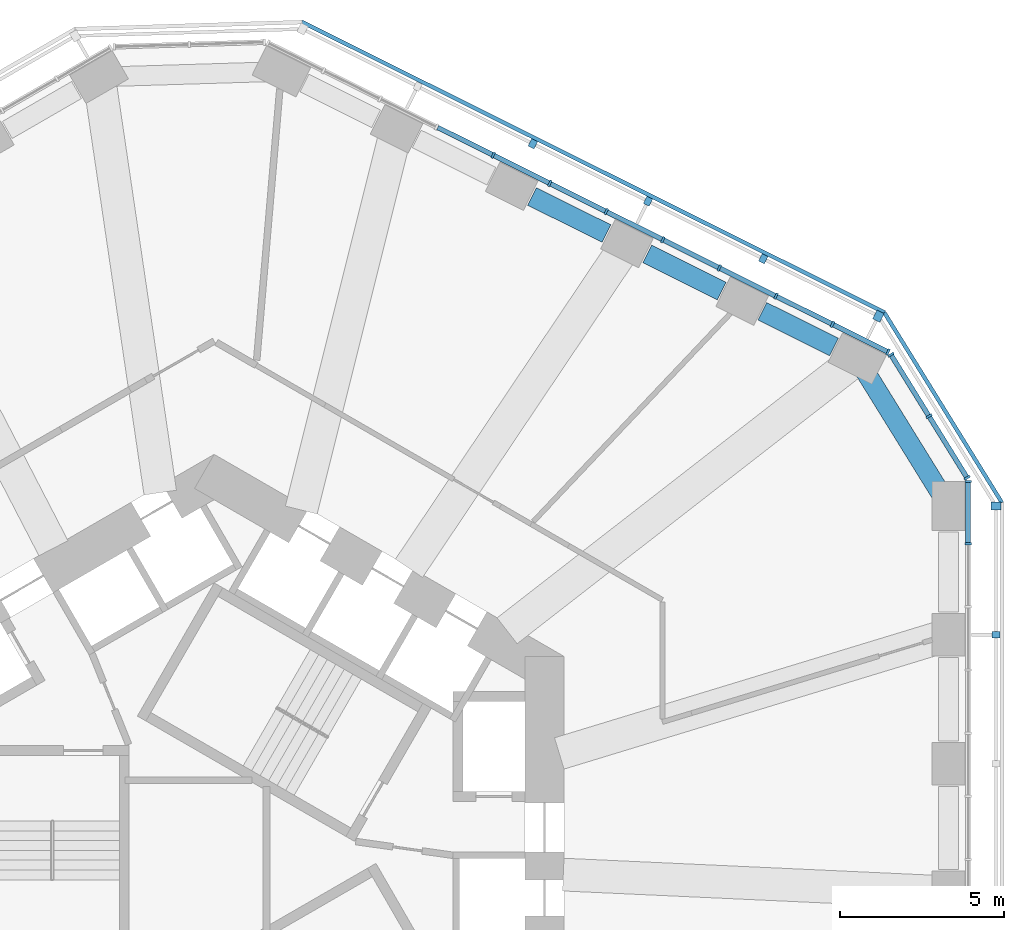
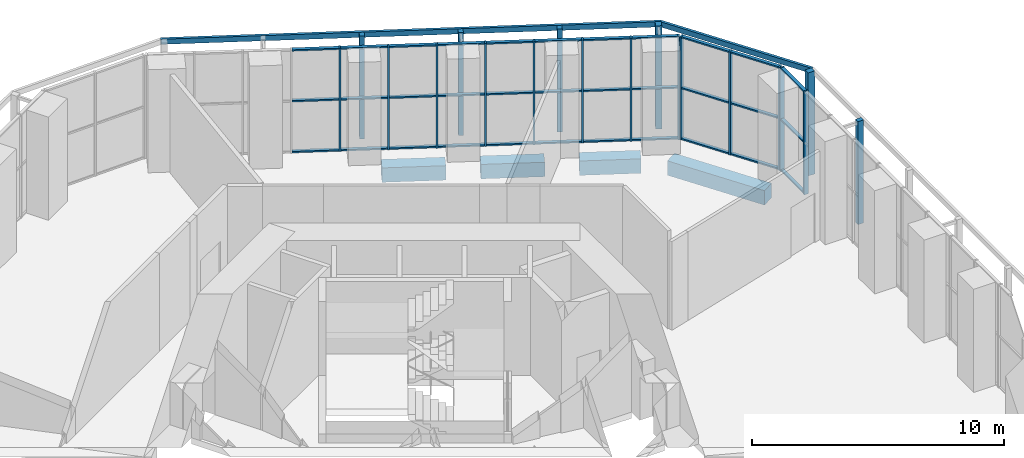
# One storey, part 9 of 19: 54 members, 4 beams, 6 elements without a shape of their own.
"""IFC4 building model written with IfcOpenShell, lengths in metres."""

from ifc_helpers import new_model, si_unit, direction, frame, origin, origin_2d, place, context, subcontext, project, spatial, rectangle, extrude, material, material_profile, profile_set, type_object, element, aggregate, save


model = new_model("IFC4")

# Units and contexts
model_context = context("Model", 3, precision=1e-05, world=origin(), true_north=direction((0.0, 1.0)))
body_context = subcontext(model_context, "Body", "Model", "MODEL_VIEW")
ifc_project = project(units=[si_unit("LENGTHUNIT", "METRE"), si_unit("AREAUNIT", "SQUARE_METRE"), si_unit("VOLUMEUNIT", "CUBIC_METRE"), si_unit("PLANEANGLEUNIT", "RADIAN"), si_unit("MASSUNIT", "GRAM", prefix="KILO")], contexts=[model_context])

# Site, building, storey
site_placement = place(None, origin())
site = spatial("IfcSite", under=ifc_project, at=site_placement, CompositionType="ELEMENT")
building_placement = place(site_placement, origin())
building = spatial("IfcBuilding", under=site, at=building_placement, Name="Vanh Sen Convention Tower", CompositionType="ELEMENT")
storey_placement = place(building_placement, frame((0.0, 0.0, 39.0)))
storey = spatial("IfcBuildingStorey", under=building, at=storey_placement, Name="L06", CompositionType="ELEMENT", Elevation=39.0)

# Curtain wall, members
ifc_material_1 = material(Name="Aluminium structural glazing system", Category="aluminium")
curtain_wall_type_1 = type_object("IfcCurtainWallType", Name="Hotel lobby structural glazing", PredefinedType="NOTDEFINED", material=ifc_material_1)
curtain_wall_1_placement = place(storey_placement, origin())
curtain_wall_1 = element("IfcCurtainWall", 1, at=curtain_wall_1_placement, inside=storey, type_object=curtain_wall_type_1, Name="Hotel lobby glazing E L06", PredefinedType="NOTDEFINED")
ifc_material_2 = material(Name="Aluminium mullion", Category="aluminium")
ifc_material_profile_1 = material_profile(ifc_material_2, rectangle(XDim=0.199951171875, YDim=0.070068359375, at=origin_2d()), Name="Lobby glazing mullion 70 x 200")
ifc_profile_set_1 = profile_set([ifc_material_profile_1], Name="Aluminium mullion")
member_type_1 = type_object("IfcMemberType", Name="Lobby glazing mullion 70 x 200", PredefinedType="MULLION", material=ifc_profile_set_1)
member_1_placement = place(storey_placement, frame((23.050048828125, 9.6279296875, 0.0), z_axis=(0.0, 0.0, 1.0), x_axis=(-1.0, 0.0, 0.0)))
member_1 = element("IfcMember", 2, at=member_1_placement, type_object=member_type_1, Name="CW2 mullion 11", PredefinedType="MULLION", context=body_context, shape_type="SweptSolid", body=[
    extrude(rectangle(XDim=0.199951171875, YDim=0.070068359375, at=origin_2d()), origin(), (0.0, 0.0, 1.0), 5.0),
])
member_2_placement = place(storey_placement, frame((23.050048828125, 11.5244140625, 0.0), z_axis=(0.0, 0.0, 1.0), x_axis=(-1.0, 0.0, 0.0)))
member_2 = element("IfcMember", 3, at=member_2_placement, type_object=member_type_1, Name="CW2 mullion 12", PredefinedType="MULLION", context=body_context, shape_type="SweptSolid", body=[
    extrude(rectangle(XDim=0.199951171875, YDim=0.070068359375, at=origin_2d()), origin(), (0.0, 0.0, 1.0), 5.0),
])

curtain_wall_2_placement = place(storey_placement, origin())
curtain_wall_2 = element("IfcCurtainWall", 4, at=curtain_wall_2_placement, inside=storey, type_object=curtain_wall_type_1, Name="Hotel lobby glazing CH1 L06", PredefinedType="NOTDEFINED")
member_3_placement = place(storey_placement, frame((23.0166015625, 11.641845703125, 0.0), z_axis=(0.0, 0.0, 1.0), x_axis=(-0.850357609177, -0.526205222812, 0.0)))
member_3 = element("IfcMember", 5, at=member_3_placement, type_object=member_type_1, Name="CW2 mullion 1", PredefinedType="MULLION", context=body_context, shape_type="SweptSolid", body=[
    extrude(rectangle(XDim=0.199951171875, YDim=0.070068359375, at=origin_2d()), origin(), (0.0, 0.0, 1.0), 5.0),
])
member_4_placement = place(storey_placement, frame((21.8525390625, 13.522705078125, 0.0), z_axis=(0.0, 0.0, 1.0), x_axis=(-0.850357609177, -0.526205222812, 0.0)))
member_4 = element("IfcMember", 6, at=member_4_placement, type_object=member_type_1, Name="CW2 mullion 2", PredefinedType="MULLION", context=body_context, shape_type="SweptSolid", body=[
    extrude(rectangle(XDim=0.199951171875, YDim=0.070068359375, at=origin_2d()), origin(), (0.0, 0.0, 1.0), 5.0),
])
member_5_placement = place(storey_placement, frame((20.688720703125, 15.40380859375, 0.0), z_axis=(0.0, 0.0, 1.0), x_axis=(-0.850357609177, -0.526205222812, 0.0)))
member_5 = element("IfcMember", 7, at=member_5_placement, type_object=member_type_1, Name="CW2 mullion 3", PredefinedType="MULLION", context=body_context, shape_type="SweptSolid", body=[
    extrude(rectangle(XDim=0.199951171875, YDim=0.070068359375, at=origin_2d()), origin(), (0.0, 0.0, 1.0), 5.0),
])

curtain_wall_3_placement = place(storey_placement, origin())
curtain_wall_3 = element("IfcCurtainWall", 8, at=curtain_wall_3_placement, inside=storey, type_object=curtain_wall_type_1, Name="Hotel lobby glazing NE L06", PredefinedType="NOTDEFINED")
member_6_placement = place(storey_placement, frame((20.5986328125, 15.486083984375, 0.0), z_axis=(0.0, 0.0, 1.0), x_axis=(-0.446198535483, -0.89493400144, 0.0)))
member_6 = element("IfcMember", 9, at=member_6_placement, type_object=member_type_1, Name="CW2 mullion 1", PredefinedType="MULLION", context=body_context, shape_type="SweptSolid", body=[
    extrude(rectangle(XDim=0.199951171875, YDim=0.070068359375, at=origin_2d()), origin(), (0.0, 0.0, 1.0), 5.0),
])
member_7_placement = place(storey_placement, frame((18.9013671875, 16.332275390625, 0.0), z_axis=(0.0, 0.0, 1.0), x_axis=(-0.446198535483, -0.89493400144, 0.0)))
member_7 = element("IfcMember", 10, at=member_7_placement, type_object=member_type_1, Name="CW2 mullion 2", PredefinedType="MULLION", context=body_context, shape_type="SweptSolid", body=[
    extrude(rectangle(XDim=0.199951171875, YDim=0.070068359375, at=origin_2d()), origin(), (0.0, 0.0, 1.0), 5.0),
])
member_8_placement = place(storey_placement, frame((17.1728515625, 17.194091796875, 0.0), z_axis=(0.0, 0.0, 1.0), x_axis=(-0.446198535483, -0.89493400144, 0.0)))
member_8 = element("IfcMember", 11, at=member_8_placement, type_object=member_type_1, Name="CW2 mullion 3", PredefinedType="MULLION", context=body_context, shape_type="SweptSolid", body=[
    extrude(rectangle(XDim=0.199951171875, YDim=0.070068359375, at=origin_2d()), origin(), (0.0, 0.0, 1.0), 5.0),
])
member_9_placement = place(storey_placement, frame((15.4443359375, 18.055908203125, 0.0), z_axis=(0.0, 0.0, 1.0), x_axis=(-0.446198535483, -0.89493400144, 0.0)))
member_9 = element("IfcMember", 12, at=member_9_placement, type_object=member_type_1, Name="CW2 mullion 4", PredefinedType="MULLION", context=body_context, shape_type="SweptSolid", body=[
    extrude(rectangle(XDim=0.199951171875, YDim=0.070068359375, at=origin_2d()), origin(), (0.0, 0.0, 1.0), 5.0),
])
member_10_placement = place(storey_placement, frame((13.7158203125, 18.917724609375, 0.0), z_axis=(0.0, 0.0, 1.0), x_axis=(-0.446198535483, -0.89493400144, 0.0)))
member_10 = element("IfcMember", 13, at=member_10_placement, type_object=member_type_1, Name="CW2 mullion 5", PredefinedType="MULLION", context=body_context, shape_type="SweptSolid", body=[
    extrude(rectangle(XDim=0.199951171875, YDim=0.070068359375, at=origin_2d()), origin(), (0.0, 0.0, 1.0), 5.0),
])
member_11_placement = place(storey_placement, frame((11.9873046875, 19.779541015625, 0.0), z_axis=(0.0, 0.0, 1.0), x_axis=(-0.446198535483, -0.89493400144, 0.0)))
member_11 = element("IfcMember", 14, at=member_11_placement, type_object=member_type_1, Name="CW2 mullion 6", PredefinedType="MULLION", context=body_context, shape_type="SweptSolid", body=[
    extrude(rectangle(XDim=0.199951171875, YDim=0.070068359375, at=origin_2d()), origin(), (0.0, 0.0, 1.0), 5.0),
])
member_12_placement = place(storey_placement, frame((10.2587890625, 20.641357421875, 0.0), z_axis=(0.0, 0.0, 1.0), x_axis=(-0.446198535483, -0.89493400144, 0.0)))
member_12 = element("IfcMember", 15, at=member_12_placement, type_object=member_type_1, Name="CW2 mullion 7", PredefinedType="MULLION", context=body_context, shape_type="SweptSolid", body=[
    extrude(rectangle(XDim=0.199951171875, YDim=0.070068359375, at=origin_2d()), origin(), (0.0, 0.0, 1.0), 5.0),
])
member_13_placement = place(storey_placement, frame((8.530029296875, 21.503173828125, 0.0), z_axis=(0.0, 0.0, 1.0), x_axis=(-0.446198535483, -0.89493400144, 0.0)))
member_13 = element("IfcMember", 16, at=member_13_placement, type_object=member_type_1, Name="CW2 mullion 8", PredefinedType="MULLION", context=body_context, shape_type="SweptSolid", body=[
    extrude(rectangle(XDim=0.199951171875, YDim=0.070068359375, at=origin_2d()), origin(), (0.0, 0.0, 1.0), 5.0),
])

# Member
ifc_material_3 = material(Name="Aluminium transom", Category="aluminium")
ifc_material_profile_2 = material_profile(ifc_material_3, rectangle(XDim=0.14990234375, YDim=0.070068359375, at=origin_2d()), Name="Lobby glazing transom 150 x 70")
ifc_profile_set_2 = profile_set([ifc_material_profile_2], Name="Aluminium transom")
member_type_2 = type_object("IfcMemberType", Name="Lobby glazing transom 150 x 70", PredefinedType="USERDEFINED", material=ifc_profile_set_2)
member_14_placement = place(storey_placement, frame((23.050048828125, 9.6630859375, 0.034912109375), z_axis=(0.0, 1.0, 0.0), x_axis=(-1.0, 0.0, 0.0)))
member_14 = element("IfcMember", 17, at=member_14_placement, type_object=member_type_2, Name="CW2 transom 11.1", ObjectType="TRANSOM", PredefinedType="USERDEFINED", context=body_context, shape_type="SweptSolid", body=[
    extrude(rectangle(XDim=0.14990234375, YDim=0.070068359375, at=origin_2d()), origin(), (0.0, 0.0, 1.0), 1.826416015625),
])

member_15_placement = place(storey_placement, frame((23.050048828125, 9.6630859375, 2.5), z_axis=(0.0, 1.0, 0.0), x_axis=(-1.0, 0.0, 0.0)))
member_15 = element("IfcMember", 18, at=member_15_placement, type_object=member_type_2, Name="CW2 transom 11.2", ObjectType="TRANSOM", PredefinedType="USERDEFINED", context=body_context, shape_type="SweptSolid", body=[
    extrude(rectangle(XDim=0.14990234375, YDim=0.070068359375, at=origin_2d()), origin(), (0.0, 0.0, 1.0), 1.826416015625),
])

member_16_placement = place(storey_placement, frame((23.050048828125, 9.6630859375, 4.965087890625), z_axis=(0.0, 1.0, 0.0), x_axis=(-1.0, 0.0, 0.0)))
member_16 = element("IfcMember", 19, at=member_16_placement, type_object=member_type_2, Name="CW2 transom 11.3", ObjectType="TRANSOM", PredefinedType="USERDEFINED", context=body_context, shape_type="SweptSolid", body=[
    extrude(rectangle(XDim=0.14990234375, YDim=0.070068359375, at=origin_2d()), origin(), (0.0, 0.0, 1.0), 1.826416015625),
])

aggregate(curtain_wall_1, [member_1, member_2, member_14, member_15, member_16])

member_17_placement = place(storey_placement, frame((22.998046875, 11.671630859375, 0.034912109375), z_axis=(-0.526181935599, 0.850372018971, 0.0), x_axis=(-0.850372018971, -0.526181935599, 0.0)))
member_17 = element("IfcMember", 20, at=member_17_placement, type_object=member_type_2, Name="CW2 transom 1.1", ObjectType="TRANSOM", PredefinedType="USERDEFINED", context=body_context, shape_type="SweptSolid", body=[
    extrude(rectangle(XDim=0.14990234375, YDim=0.070068359375, at=origin_2d()), origin(), (0.0, 0.0, 1.0), 2.141845703125),
])

member_18_placement = place(storey_placement, frame((22.998046875, 11.671630859375, 2.5), z_axis=(-0.526181935599, 0.850372018971, 0.0), x_axis=(-0.850372018971, -0.526181935599, 0.0)))
member_18 = element("IfcMember", 21, at=member_18_placement, type_object=member_type_2, Name="CW2 transom 1.2", ObjectType="TRANSOM", PredefinedType="USERDEFINED", context=body_context, shape_type="SweptSolid", body=[
    extrude(rectangle(XDim=0.14990234375, YDim=0.070068359375, at=origin_2d()), origin(), (0.0, 0.0, 1.0), 2.141845703125),
])

member_19_placement = place(storey_placement, frame((22.998046875, 11.671630859375, 4.965087890625), z_axis=(-0.526181935599, 0.850372018971, 0.0), x_axis=(-0.850372018971, -0.526181935599, 0.0)))
member_19 = element("IfcMember", 22, at=member_19_placement, type_object=member_type_2, Name="CW2 transom 1.3", ObjectType="TRANSOM", PredefinedType="USERDEFINED", context=body_context, shape_type="SweptSolid", body=[
    extrude(rectangle(XDim=0.14990234375, YDim=0.070068359375, at=origin_2d()), origin(), (0.0, 0.0, 1.0), 2.141845703125),
])

member_20_placement = place(storey_placement, frame((21.834228515625, 13.552490234375, 0.034912109375), z_axis=(-0.526213355566, 0.850352576538, 0.0), x_axis=(-0.850352576538, -0.526213355566, 0.0)))
member_20 = element("IfcMember", 23, at=member_20_placement, type_object=member_type_2, Name="CW2 transom 2.1", ObjectType="TRANSOM", PredefinedType="USERDEFINED", context=body_context, shape_type="SweptSolid", body=[
    extrude(rectangle(XDim=0.14990234375, YDim=0.070068359375, at=origin_2d()), origin(), (0.0, 0.0, 1.0), 2.14208984375),
])

member_21_placement = place(storey_placement, frame((21.834228515625, 13.552490234375, 2.5), z_axis=(-0.526213355566, 0.850352576538, 0.0), x_axis=(-0.850352576538, -0.526213355566, 0.0)))
member_21 = element("IfcMember", 24, at=member_21_placement, type_object=member_type_2, Name="CW2 transom 2.2", ObjectType="TRANSOM", PredefinedType="USERDEFINED", context=body_context, shape_type="SweptSolid", body=[
    extrude(rectangle(XDim=0.14990234375, YDim=0.070068359375, at=origin_2d()), origin(), (0.0, 0.0, 1.0), 2.14208984375),
])

member_22_placement = place(storey_placement, frame((21.834228515625, 13.552490234375, 4.965087890625), z_axis=(-0.526213355566, 0.850352576538, 0.0), x_axis=(-0.850352576538, -0.526213355566, 0.0)))
member_22 = element("IfcMember", 25, at=member_22_placement, type_object=member_type_2, Name="CW2 transom 2.3", ObjectType="TRANSOM", PredefinedType="USERDEFINED", context=body_context, shape_type="SweptSolid", body=[
    extrude(rectangle(XDim=0.14990234375, YDim=0.070068359375, at=origin_2d()), origin(), (0.0, 0.0, 1.0), 2.14208984375),
])

aggregate(curtain_wall_2, [member_3, member_4, member_5, member_17, member_18, member_19, member_20, member_21, member_22])

member_23_placement = place(storey_placement, frame((20.567138671875, 15.501708984375, 0.034912109375), z_axis=(-0.894934567955, 0.446197399229, 0.0), x_axis=(-0.446197399229, -0.894934567955, 0.0)))
member_23 = element("IfcMember", 26, at=member_23_placement, type_object=member_type_2, Name="CW2 transom 1.1", ObjectType="TRANSOM", PredefinedType="USERDEFINED", context=body_context, shape_type="SweptSolid", body=[
    extrude(rectangle(XDim=0.14990234375, YDim=0.070068359375, at=origin_2d()), origin(), (0.0, 0.0, 1.0), 1.826416015625),
])

member_24_placement = place(storey_placement, frame((20.567138671875, 15.501708984375, 2.5), z_axis=(-0.894934567955, 0.446197399229, 0.0), x_axis=(-0.446197399229, -0.894934567955, 0.0)))
member_24 = element("IfcMember", 27, at=member_24_placement, type_object=member_type_2, Name="CW2 transom 1.2", ObjectType="TRANSOM", PredefinedType="USERDEFINED", context=body_context, shape_type="SweptSolid", body=[
    extrude(rectangle(XDim=0.14990234375, YDim=0.070068359375, at=origin_2d()), origin(), (0.0, 0.0, 1.0), 1.826416015625),
])

member_25_placement = place(storey_placement, frame((20.567138671875, 15.501708984375, 4.965087890625), z_axis=(-0.894934567955, 0.446197399229, 0.0), x_axis=(-0.446197399229, -0.894934567955, 0.0)))
member_25 = element("IfcMember", 28, at=member_25_placement, type_object=member_type_2, Name="CW2 transom 1.3", ObjectType="TRANSOM", PredefinedType="USERDEFINED", context=body_context, shape_type="SweptSolid", body=[
    extrude(rectangle(XDim=0.14990234375, YDim=0.070068359375, at=origin_2d()), origin(), (0.0, 0.0, 1.0), 1.826416015625),
])

member_26_placement = place(storey_placement, frame((18.8701171875, 16.347900390625, 0.034912109375), z_axis=(-0.894951166012, 0.446164107089, 0.0), x_axis=(-0.446164107089, -0.894951166012, 0.0)))
member_26 = element("IfcMember", 29, at=member_26_placement, type_object=member_type_2, Name="CW2 transom 2.1", ObjectType="TRANSOM", PredefinedType="USERDEFINED", context=body_context, shape_type="SweptSolid", body=[
    extrude(rectangle(XDim=0.14990234375, YDim=0.070068359375, at=origin_2d()), origin(), (0.0, 0.0, 1.0), 1.861572265625),
])

member_27_placement = place(storey_placement, frame((18.8701171875, 16.347900390625, 2.5), z_axis=(-0.894951166012, 0.446164107089, 0.0), x_axis=(-0.446164107089, -0.894951166012, 0.0)))
member_27 = element("IfcMember", 30, at=member_27_placement, type_object=member_type_2, Name="CW2 transom 2.2", ObjectType="TRANSOM", PredefinedType="USERDEFINED", context=body_context, shape_type="SweptSolid", body=[
    extrude(rectangle(XDim=0.14990234375, YDim=0.070068359375, at=origin_2d()), origin(), (0.0, 0.0, 1.0), 1.861572265625),
])

member_28_placement = place(storey_placement, frame((18.8701171875, 16.347900390625, 4.965087890625), z_axis=(-0.894951166012, 0.446164107089, 0.0), x_axis=(-0.446164107089, -0.894951166012, 0.0)))
member_28 = element("IfcMember", 31, at=member_28_placement, type_object=member_type_2, Name="CW2 transom 2.3", ObjectType="TRANSOM", PredefinedType="USERDEFINED", context=body_context, shape_type="SweptSolid", body=[
    extrude(rectangle(XDim=0.14990234375, YDim=0.070068359375, at=origin_2d()), origin(), (0.0, 0.0, 1.0), 1.861572265625),
])

member_29_placement = place(storey_placement, frame((17.1416015625, 17.209716796875, 0.034912109375), z_axis=(-0.894951166012, 0.446164107089, 0.0), x_axis=(-0.446164107089, -0.894951166012, 0.0)))
member_29 = element("IfcMember", 32, at=member_29_placement, type_object=member_type_2, Name="CW2 transom 3.1", ObjectType="TRANSOM", PredefinedType="USERDEFINED", context=body_context, shape_type="SweptSolid", body=[
    extrude(rectangle(XDim=0.14990234375, YDim=0.070068359375, at=origin_2d()), origin(), (0.0, 0.0, 1.0), 1.861572265625),
])

member_30_placement = place(storey_placement, frame((17.1416015625, 17.209716796875, 2.5), z_axis=(-0.894951166012, 0.446164107089, 0.0), x_axis=(-0.446164107089, -0.894951166012, 0.0)))
member_30 = element("IfcMember", 33, at=member_30_placement, type_object=member_type_2, Name="CW2 transom 3.2", ObjectType="TRANSOM", PredefinedType="USERDEFINED", context=body_context, shape_type="SweptSolid", body=[
    extrude(rectangle(XDim=0.14990234375, YDim=0.070068359375, at=origin_2d()), origin(), (0.0, 0.0, 1.0), 1.861572265625),
])

member_31_placement = place(storey_placement, frame((17.1416015625, 17.209716796875, 4.965087890625), z_axis=(-0.894951166012, 0.446164107089, 0.0), x_axis=(-0.446164107089, -0.894951166012, 0.0)))
member_31 = element("IfcMember", 34, at=member_31_placement, type_object=member_type_2, Name="CW2 transom 3.3", ObjectType="TRANSOM", PredefinedType="USERDEFINED", context=body_context, shape_type="SweptSolid", body=[
    extrude(rectangle(XDim=0.14990234375, YDim=0.070068359375, at=origin_2d()), origin(), (0.0, 0.0, 1.0), 1.861572265625),
])

member_32_placement = place(storey_placement, frame((15.4130859375, 18.071533203125, 0.034912109375), z_axis=(-0.894951166012, 0.446164107089, 0.0), x_axis=(-0.446164107089, -0.894951166012, 0.0)))
member_32 = element("IfcMember", 35, at=member_32_placement, type_object=member_type_2, Name="CW2 transom 4.1", ObjectType="TRANSOM", PredefinedType="USERDEFINED", context=body_context, shape_type="SweptSolid", body=[
    extrude(rectangle(XDim=0.14990234375, YDim=0.070068359375, at=origin_2d()), origin(), (0.0, 0.0, 1.0), 1.861572265625),
])

member_33_placement = place(storey_placement, frame((15.4130859375, 18.071533203125, 2.5), z_axis=(-0.894951166012, 0.446164107089, 0.0), x_axis=(-0.446164107089, -0.894951166012, 0.0)))
member_33 = element("IfcMember", 36, at=member_33_placement, type_object=member_type_2, Name="CW2 transom 4.2", ObjectType="TRANSOM", PredefinedType="USERDEFINED", context=body_context, shape_type="SweptSolid", body=[
    extrude(rectangle(XDim=0.14990234375, YDim=0.070068359375, at=origin_2d()), origin(), (0.0, 0.0, 1.0), 1.861572265625),
])

member_34_placement = place(storey_placement, frame((15.4130859375, 18.071533203125, 4.965087890625), z_axis=(-0.894951166012, 0.446164107089, 0.0), x_axis=(-0.446164107089, -0.894951166012, 0.0)))
member_34 = element("IfcMember", 37, at=member_34_placement, type_object=member_type_2, Name="CW2 transom 4.3", ObjectType="TRANSOM", PredefinedType="USERDEFINED", context=body_context, shape_type="SweptSolid", body=[
    extrude(rectangle(XDim=0.14990234375, YDim=0.070068359375, at=origin_2d()), origin(), (0.0, 0.0, 1.0), 1.861572265625),
])

member_35_placement = place(storey_placement, frame((13.684326171875, 18.933349609375, 0.034912109375), z_axis=(-0.894925054859, 0.446216479061, 0.0), x_axis=(-0.446216479061, -0.894925054859, 0.0)))
member_35 = element("IfcMember", 38, at=member_35_placement, type_object=member_type_2, Name="CW2 transom 5.1", ObjectType="TRANSOM", PredefinedType="USERDEFINED", context=body_context, shape_type="SweptSolid", body=[
    extrude(rectangle(XDim=0.14990234375, YDim=0.070068359375, at=origin_2d()), origin(), (0.0, 0.0, 1.0), 1.861328125),
])

member_36_placement = place(storey_placement, frame((13.684326171875, 18.933349609375, 2.5), z_axis=(-0.894925054859, 0.446216479061, 0.0), x_axis=(-0.446216479061, -0.894925054859, 0.0)))
member_36 = element("IfcMember", 39, at=member_36_placement, type_object=member_type_2, Name="CW2 transom 5.2", ObjectType="TRANSOM", PredefinedType="USERDEFINED", context=body_context, shape_type="SweptSolid", body=[
    extrude(rectangle(XDim=0.14990234375, YDim=0.070068359375, at=origin_2d()), origin(), (0.0, 0.0, 1.0), 1.861328125),
])

member_37_placement = place(storey_placement, frame((13.684326171875, 18.933349609375, 4.965087890625), z_axis=(-0.894925054859, 0.446216479061, 0.0), x_axis=(-0.446216479061, -0.894925054859, 0.0)))
member_37 = element("IfcMember", 40, at=member_37_placement, type_object=member_type_2, Name="CW2 transom 5.3", ObjectType="TRANSOM", PredefinedType="USERDEFINED", context=body_context, shape_type="SweptSolid", body=[
    extrude(rectangle(XDim=0.14990234375, YDim=0.070068359375, at=origin_2d()), origin(), (0.0, 0.0, 1.0), 1.861328125),
])

member_38_placement = place(storey_placement, frame((11.955810546875, 19.795166015625, 0.034912109375), z_axis=(-0.894925054859, 0.446216479061, 0.0), x_axis=(-0.446216479061, -0.894925054859, 0.0)))
member_38 = element("IfcMember", 41, at=member_38_placement, type_object=member_type_2, Name="CW2 transom 6.1", ObjectType="TRANSOM", PredefinedType="USERDEFINED", context=body_context, shape_type="SweptSolid", body=[
    extrude(rectangle(XDim=0.14990234375, YDim=0.070068359375, at=origin_2d()), origin(), (0.0, 0.0, 1.0), 1.861328125),
])

member_39_placement = place(storey_placement, frame((11.955810546875, 19.795166015625, 2.5), z_axis=(-0.894925054859, 0.446216479061, 0.0), x_axis=(-0.446216479061, -0.894925054859, 0.0)))
member_39 = element("IfcMember", 42, at=member_39_placement, type_object=member_type_2, Name="CW2 transom 6.2", ObjectType="TRANSOM", PredefinedType="USERDEFINED", context=body_context, shape_type="SweptSolid", body=[
    extrude(rectangle(XDim=0.14990234375, YDim=0.070068359375, at=origin_2d()), origin(), (0.0, 0.0, 1.0), 1.861328125),
])

member_40_placement = place(storey_placement, frame((11.955810546875, 19.795166015625, 4.965087890625), z_axis=(-0.894925054859, 0.446216479061, 0.0), x_axis=(-0.446216479061, -0.894925054859, 0.0)))
member_40 = element("IfcMember", 43, at=member_40_placement, type_object=member_type_2, Name="CW2 transom 6.3", ObjectType="TRANSOM", PredefinedType="USERDEFINED", context=body_context, shape_type="SweptSolid", body=[
    extrude(rectangle(XDim=0.14990234375, YDim=0.070068359375, at=origin_2d()), origin(), (0.0, 0.0, 1.0), 1.861328125),
])

member_41_placement = place(storey_placement, frame((10.227294921875, 20.656982421875, 0.034912109375), z_axis=(-0.894925054859, 0.446216479061, 0.0), x_axis=(-0.446216479061, -0.894925054859, 0.0)))
member_41 = element("IfcMember", 44, at=member_41_placement, type_object=member_type_2, Name="CW2 transom 7.1", ObjectType="TRANSOM", PredefinedType="USERDEFINED", context=body_context, shape_type="SweptSolid", body=[
    extrude(rectangle(XDim=0.14990234375, YDim=0.070068359375, at=origin_2d()), origin(), (0.0, 0.0, 1.0), 1.861328125),
])

member_42_placement = place(storey_placement, frame((10.227294921875, 20.656982421875, 2.5), z_axis=(-0.894925054859, 0.446216479061, 0.0), x_axis=(-0.446216479061, -0.894925054859, 0.0)))
member_42 = element("IfcMember", 45, at=member_42_placement, type_object=member_type_2, Name="CW2 transom 7.2", ObjectType="TRANSOM", PredefinedType="USERDEFINED", context=body_context, shape_type="SweptSolid", body=[
    extrude(rectangle(XDim=0.14990234375, YDim=0.070068359375, at=origin_2d()), origin(), (0.0, 0.0, 1.0), 1.861328125),
])

member_43_placement = place(storey_placement, frame((10.227294921875, 20.656982421875, 4.965087890625), z_axis=(-0.894925054859, 0.446216479061, 0.0), x_axis=(-0.446216479061, -0.894925054859, 0.0)))
member_43 = element("IfcMember", 46, at=member_43_placement, type_object=member_type_2, Name="CW2 transom 7.3", ObjectType="TRANSOM", PredefinedType="USERDEFINED", context=body_context, shape_type="SweptSolid", body=[
    extrude(rectangle(XDim=0.14990234375, YDim=0.070068359375, at=origin_2d()), origin(), (0.0, 0.0, 1.0), 1.861328125),
])

member_44_placement = place(storey_placement, frame((8.498779296875, 21.518798828125, 0.034912109375), z_axis=(-0.894925054859, 0.446216479061, 0.0), x_axis=(-0.446216479061, -0.894925054859, 0.0)))
member_44 = element("IfcMember", 47, at=member_44_placement, type_object=member_type_2, Name="CW2 transom 8.1", ObjectType="TRANSOM", PredefinedType="USERDEFINED", context=body_context, shape_type="SweptSolid", body=[
    extrude(rectangle(XDim=0.14990234375, YDim=0.070068359375, at=origin_2d()), origin(), (0.0, 0.0, 1.0), 1.861328125),
])

member_45_placement = place(storey_placement, frame((8.498779296875, 21.518798828125, 2.5), z_axis=(-0.894925054859, 0.446216479061, 0.0), x_axis=(-0.446216479061, -0.894925054859, 0.0)))
member_45 = element("IfcMember", 48, at=member_45_placement, type_object=member_type_2, Name="CW2 transom 8.2", ObjectType="TRANSOM", PredefinedType="USERDEFINED", context=body_context, shape_type="SweptSolid", body=[
    extrude(rectangle(XDim=0.14990234375, YDim=0.070068359375, at=origin_2d()), origin(), (0.0, 0.0, 1.0), 1.861328125),
])

member_46_placement = place(storey_placement, frame((8.498779296875, 21.518798828125, 4.965087890625), z_axis=(-0.894925054859, 0.446216479061, 0.0), x_axis=(-0.446216479061, -0.894925054859, 0.0)))
member_46 = element("IfcMember", 49, at=member_46_placement, type_object=member_type_2, Name="CW2 transom 8.3", ObjectType="TRANSOM", PredefinedType="USERDEFINED", context=body_context, shape_type="SweptSolid", body=[
    extrude(rectangle(XDim=0.14990234375, YDim=0.070068359375, at=origin_2d()), origin(), (0.0, 0.0, 1.0), 1.861328125),
])

aggregate(curtain_wall_3, [member_6, member_7, member_8, member_9, member_10, member_11, member_12, member_13, member_23, member_24, member_25, member_26, member_27, member_28, member_29, member_30, member_31, member_32, member_33, member_34, member_35, member_36, member_37, member_38, member_39, member_40, member_41, member_42, member_43, member_44, member_45, member_46])

# Curtain wall, member
ifc_material_4 = material(Name="Concrete C50/60", Category="concrete")
curtain_wall_type_2 = type_object("IfcCurtainWallType", Name="Outer skin hotel zone", PredefinedType="NOTDEFINED", material=ifc_material_4)
curtain_wall_4_placement = place(storey_placement, origin())
curtain_wall_4 = element("IfcCurtainWall", 50, at=curtain_wall_4_placement, inside=storey, type_object=curtain_wall_type_2, Name="OUTER SKIN E L06", PredefinedType="NOTDEFINED")
ifc_material_profile_3 = material_profile(ifc_material_4, rectangle(XDim=0.25, YDim=0.300048828125, at=origin_2d()), Name="Outer skin precast corner fin 250 x 300")
ifc_profile_set_3 = profile_set([ifc_material_profile_3], Name="Concrete C50/60")
member_type_3 = type_object("IfcMemberType", Name="Outer skin precast corner fin 250 x 300", PredefinedType="MULLION", material=ifc_profile_set_3)
member_47_placement = place(storey_placement, frame((23.89990234375, 10.773681640625, 0.0), z_axis=(0.0, 0.0, 1.0), x_axis=(0.0, 1.0, 0.0)))
member_47 = element("IfcMember", 51, at=member_47_placement, type_object=member_type_3, Name="OUTER SKIN CORNER FIN 6 E L06", PredefinedType="MULLION", context=body_context, shape_type="SweptSolid", body=[
    extrude(rectangle(XDim=0.25, YDim=0.300048828125, at=origin_2d()), origin(), (0.0, 0.0, 1.0), 5.0),
])

curtain_wall_5_placement = place(storey_placement, origin())
curtain_wall_5 = element("IfcCurtainWall", 52, at=curtain_wall_5_placement, inside=storey, type_object=curtain_wall_type_2, Name="OUTER SKIN NE L06", PredefinedType="NOTDEFINED")
member_48_placement = place(storey_placement, frame((20.305908203125, 16.581787109375, 0.0), z_axis=(0.0, 0.0, 1.0), x_axis=(-0.894934361602, 0.44619781311, 0.0)))
member_48 = element("IfcMember", 53, at=member_48_placement, type_object=member_type_3, Name="OUTER SKIN CORNER FIN 1 NE L06", PredefinedType="MULLION", context=body_context, shape_type="SweptSolid", body=[
    extrude(rectangle(XDim=0.25, YDim=0.300048828125, at=origin_2d()), origin(), (0.0, 0.0, 1.0), 5.0),
])

# Member
ifc_material_profile_4 = material_profile(ifc_material_4, rectangle(XDim=0.199951171875, YDim=0.25, at=origin_2d()), Name="Outer skin precast fin 200 x 250")
ifc_profile_set_4 = profile_set([ifc_material_profile_4], Name="Concrete C50/60")
member_type_4 = type_object("IfcMemberType", Name="Outer skin precast fin 200 x 250", PredefinedType="MULLION", material=ifc_profile_set_4)
member_49_placement = place(storey_placement, frame((23.89990234375, 6.839111328125, 0.0), z_axis=(0.0, 0.0, 1.0), x_axis=(0.0, 1.0, 0.0)))
member_49 = element("IfcMember", 54, at=member_49_placement, type_object=member_type_4, Name="OUTER SKIN fin 5 E L06", PredefinedType="MULLION", context=body_context, shape_type="SweptSolid", body=[
    extrude(rectangle(XDim=0.199951171875, YDim=0.25, at=origin_2d()), origin(), (0.0, 0.0, 1.0), 5.0),
])

aggregate(curtain_wall_4, [member_49, member_47])

member_50_placement = place(storey_placement, frame((16.78466796875, 18.33740234375, 0.0), z_axis=(0.0, 0.0, 1.0), x_axis=(-0.894934361602, 0.44619781311, 0.0)))
member_50 = element("IfcMember", 55, at=member_50_placement, type_object=member_type_4, Name="OUTER SKIN fin 2 NE L06", PredefinedType="MULLION", context=body_context, shape_type="SweptSolid", body=[
    extrude(rectangle(XDim=0.199951171875, YDim=0.25, at=origin_2d()), origin(), (0.0, 0.0, 1.0), 5.0),
])

member_51_placement = place(storey_placement, frame((13.263427734375, 20.093017578125, 0.0), z_axis=(0.0, 0.0, 1.0), x_axis=(-0.894934361602, 0.44619781311, 0.0)))
member_51 = element("IfcMember", 56, at=member_51_placement, type_object=member_type_4, Name="OUTER SKIN fin 3 NE L06", PredefinedType="MULLION", context=body_context, shape_type="SweptSolid", body=[
    extrude(rectangle(XDim=0.199951171875, YDim=0.25, at=origin_2d()), origin(), (0.0, 0.0, 1.0), 5.0),
])

member_52_placement = place(storey_placement, frame((9.7421875, 21.8486328125, 0.0), z_axis=(0.0, 0.0, 1.0), x_axis=(-0.894934361602, 0.44619781311, 0.0)))
member_52 = element("IfcMember", 57, at=member_52_placement, type_object=member_type_4, Name="OUTER SKIN fin 4 NE L06", PredefinedType="MULLION", context=body_context, shape_type="SweptSolid", body=[
    extrude(rectangle(XDim=0.199951171875, YDim=0.25, at=origin_2d()), origin(), (0.0, 0.0, 1.0), 5.0),
])

# Curtain wall, member
curtain_wall_6_placement = place(storey_placement, origin())
curtain_wall_6 = element("IfcCurtainWall", 58, at=curtain_wall_6_placement, inside=storey, type_object=curtain_wall_type_2, Name="OUTER SKIN CH1 L06", PredefinedType="NOTDEFINED")
ifc_material_profile_5 = material_profile(ifc_material_4, rectangle(XDim=0.1201171875, YDim=0.25, at=origin_2d()), Name="Outer skin precast spandrel band 250 x 120")
ifc_profile_set_5 = profile_set([ifc_material_profile_5], Name="Concrete C50/60")
member_type_5 = type_object("IfcMemberType", Name="Outer skin precast spandrel band 250 x 120", PredefinedType="USERDEFINED", material=ifc_profile_set_5)
member_53_placement = place(storey_placement, frame((24.07861328125, 10.88427734375, 4.875), z_axis=(-0.526195864379, 0.850363400148, 0.0), x_axis=(-0.850363400148, -0.526195864379, 0.0)))
member_53 = element("IfcMember", 59, at=member_53_placement, type_object=member_type_5, Name="OUTER SKIN spandrel band CH1 L06", ObjectType="TRANSOM", PredefinedType="USERDEFINED", context=body_context, shape_type="SweptSolid", body=[
    extrude(rectangle(XDim=0.1201171875, YDim=0.25, at=origin_2d()), origin(), (0.0, 0.0, 1.0), 6.830078125),
])
aggregate(curtain_wall_6, [member_53])

# Member
member_54_placement = place(storey_placement, frame((20.500244140625, 16.69140625, 4.875), z_axis=(-0.894931498167, 0.446203556227, 0.0), x_axis=(-0.446203556227, -0.894931498167, 0.0)))
member_54 = element("IfcMember", 60, at=member_54_placement, type_object=member_type_5, Name="OUTER SKIN spandrel band NE L06", ObjectType="TRANSOM", PredefinedType="USERDEFINED", context=body_context, shape_type="SweptSolid", body=[
    extrude(rectangle(XDim=0.1201171875, YDim=0.25, at=origin_2d()), origin(), (0.0, 0.0, 1.0), 19.9228515625),
])

aggregate(curtain_wall_5, [member_48, member_50, member_51, member_52, member_54])

# Beams
ifc_material_5 = material(Name="Concrete C50/60", Category="concrete")
ifc_material_profile_6 = material_profile(ifc_material_5, rectangle(XDim=0.60009765625, YDim=0.699951171875, at=origin_2d()), Name="RC 600X700")
ifc_profile_set_6 = profile_set([ifc_material_profile_6], Name="Concrete C50/60")
beam_type = type_object("IfcBeamType", Name="Spandrel beam 600 x 700", PredefinedType="SPANDREL", material=ifc_profile_set_6)
beam_1_placement = place(storey_placement, frame((22.207763671875, 11.165283203125, -0.64990234375), z_axis=(-0.526233808765, 0.850339919392, 0.0), x_axis=(-0.850339919392, -0.526233808765, 0.0)))
element("IfcBeam", 61, at=beam_1_placement, inside=storey, type_object=beam_type, Name="Spandrel beam 06 L06", PredefinedType="SPANDREL", context=body_context, shape_type="SweptSolid", body=[
    extrude(rectangle(XDim=0.60009765625, YDim=0.699951171875, at=origin_2d()), origin(), (0.0, 0.0, 1.0), 4.38330078125),
])
beam_2_placement = place(storey_placement, frame((18.947509765625, 15.638916015625, -0.64990234375), z_axis=(-0.894965857164, 0.4461346372, 0.0), x_axis=(-0.4461346372, -0.894965857164, 0.0)))
element("IfcBeam", 62, at=beam_2_placement, inside=storey, type_object=beam_type, Name="Spandrel beam 07 L06", PredefinedType="SPANDREL", context=body_context, shape_type="SweptSolid", body=[
    extrude(rectangle(XDim=0.60009765625, YDim=0.699951171875, at=origin_2d()), origin(), (0.0, 0.0, 1.0), 2.444580078125),
])
for number, where, z_axis, x_axis, name in (
    (63, (15.515625, 17.349853515625, -0.64990234375), (-0.89494473173, 0.446177013246, 0.0), (-0.446177013246, -0.89494473173, 0.0), "Spandrel beam 08 L06"),
    (64, (11.994384765625, 19.10546875, -0.64990234375), (-0.89494473173, 0.446177013246, 0.0), (-0.446177013246, -0.89494473173, 0.0), "Spandrel beam 09 L06"),
):
    element("IfcBeam", number, at=place(storey_placement, frame(where, z_axis=z_axis, x_axis=x_axis)), inside=storey, type_object=beam_type, Name=name, PredefinedType="SPANDREL", context=body_context, shape_type="SweptSolid", body=[
        extrude(rectangle(XDim=0.60009765625, YDim=0.699951171875, at=origin_2d()), origin(), (0.0, 0.0, 1.0), 2.54443359375),
    ])

save(model, "model.ifc")
